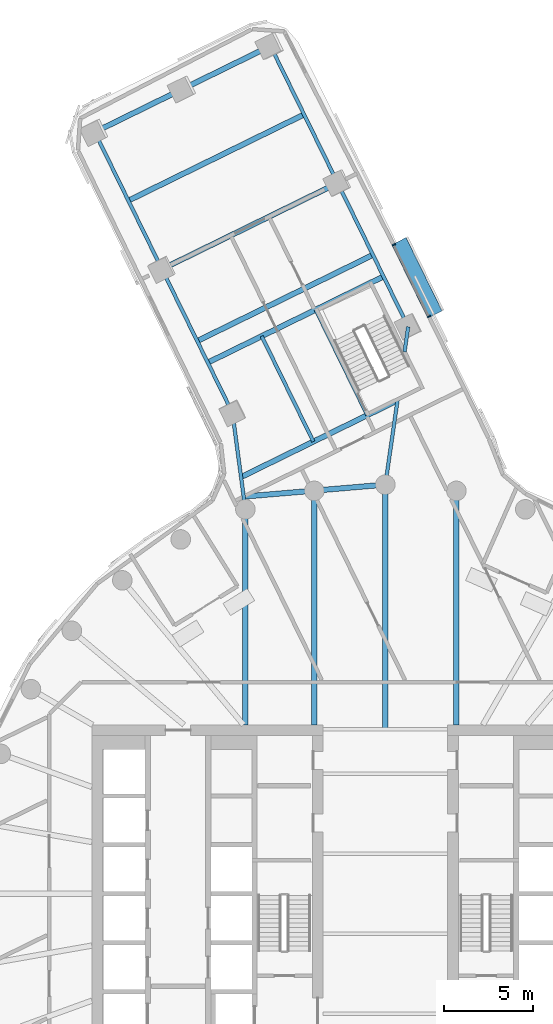
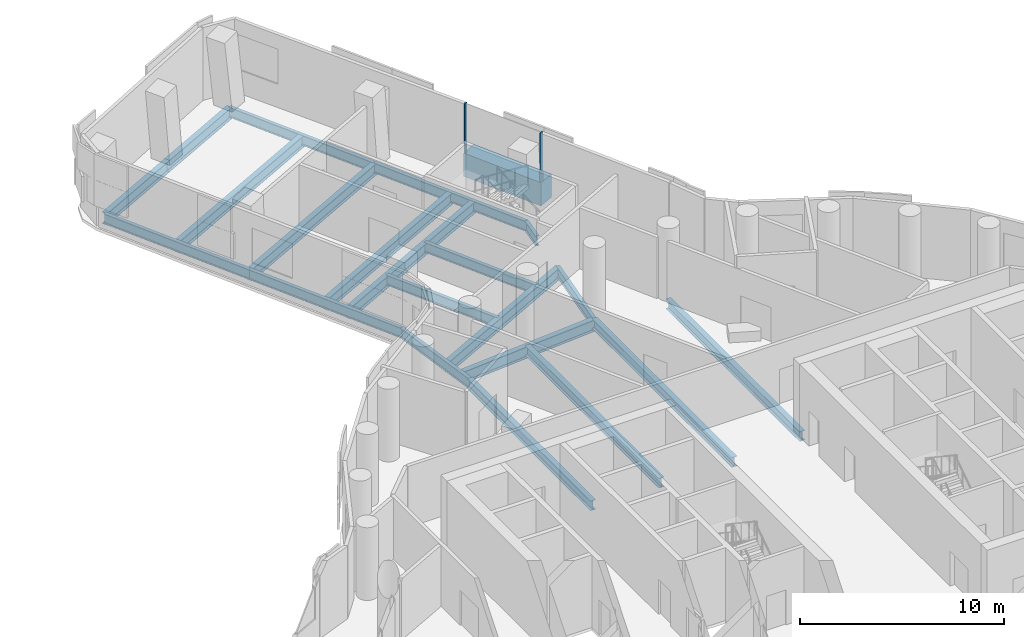
# One storey, part 8 of 23: 21 beams, 3 members, 1 element without a shape of its own.
"""IFC4 building model written with IfcOpenShell, lengths in metres."""

from ifc_helpers import new_model, si_unit, direction, frame, origin, origin_2d, place, context, subcontext, project, spatial, polyline, rectangle, i_section, outline, extrude, material, layer, layer_set, material_profile, profile_set, type_object, element, aggregate, save


model = new_model("IFC4")

# Units and contexts
model_context = context("Model", 3, precision=1e-05, world=origin(), true_north=direction((0.0, 1.0)))
body_context = subcontext(model_context, "Body", "Model", "MODEL_VIEW")
ifc_project = project(units=[si_unit("LENGTHUNIT", "METRE"), si_unit("AREAUNIT", "SQUARE_METRE"), si_unit("VOLUMEUNIT", "CUBIC_METRE"), si_unit("PLANEANGLEUNIT", "RADIAN"), si_unit("MASSUNIT", "GRAM", prefix="KILO")], contexts=[model_context])

# Site, building, storey
site_placement = place(None, origin())
site = spatial("IfcSite", under=ifc_project, at=site_placement, CompositionType="ELEMENT")
building_placement = place(site_placement, origin())
building = spatial("IfcBuilding", under=site, at=building_placement, Name="Tamarind Cross Interchange Tower", CompositionType="ELEMENT")
storey_placement = place(building_placement, frame((0.0, 0.0, 128.5)))
storey = spatial("IfcBuildingStorey", under=building, at=storey_placement, Name="L31", CompositionType="ELEMENT", Elevation=128.5)

# Beams
ifc_material_1 = material(Name="Steel Q355B", Category="steel")
ifc_material_profile_1 = material_profile(ifc_material_1, i_section(OverallWidth=0.300048828125, OverallDepth=0.58203125, WebThickness=0.011962890625, FlangeThickness=0.01708984375, FilletRadius=0.01806640625, at=origin_2d()), Name="HM 582x300x12x17")
ifc_profile_set_1 = profile_set([ifc_material_profile_1], Name="Steel Q355B")
beam_type_1 = type_object("IfcBeamType", Name="Composite beam HM 582x300x12x17 Q355B", PredefinedType="BEAM", material=ifc_profile_set_1)
beam_1_placement = place(storey_placement, frame((3.993896484375, 22.650634765625, -0.470947265625), z_axis=(0.0, -1.0, 0.0), x_axis=(1.0, 0.0, 0.0)))
element("IfcBeam", 1, at=beam_1_placement, inside=storey, type_object=beam_type_1, Name="Beam HH08", PredefinedType="BEAM", context=body_context, shape_type="SweptSolid", body=[
    extrude(i_section(OverallWidth=0.300048828125, OverallDepth=0.58203125, WebThickness=0.011962890625, FlangeThickness=0.01708984375, FilletRadius=0.01806640625, at=origin_2d()), origin(), (0.0, 0.0, 1.0), 13.150634765625),
])
beam_2_placement = place(storey_placement, frame((0.0, 23.0, -0.470947265625), z_axis=(0.0, -1.0, 0.0), x_axis=(1.0, 0.0, 0.0)))
element("IfcBeam", 2, at=beam_2_placement, inside=storey, type_object=beam_type_1, Name="Beam HH09", PredefinedType="BEAM", context=body_context, shape_type="SweptSolid", body=[
    extrude(i_section(OverallWidth=0.300048828125, OverallDepth=0.58203125, WebThickness=0.011962890625, FlangeThickness=0.01708984375, FilletRadius=0.01806640625, at=origin_2d()), origin(), (0.0, 0.0, 1.0), 13.75),
])
beam_3_placement = place(storey_placement, frame((-3.993896484375, 22.650634765625, -0.470947265625), z_axis=(0.0, -1.0, 0.0), x_axis=(1.0, 0.0, 0.0)))
element("IfcBeam", 3, at=beam_3_placement, inside=storey, type_object=beam_type_1, Name="Beam HH10", PredefinedType="BEAM", context=body_context, shape_type="SweptSolid", body=[
    extrude(i_section(OverallWidth=0.300048828125, OverallDepth=0.58203125, WebThickness=0.011962890625, FlangeThickness=0.01708984375, FilletRadius=0.01806640625, at=origin_2d()), origin(), (0.0, 0.0, 1.0), 13.150634765625),
])
beam_4_placement = place(storey_placement, frame((-7.866455078125, 21.613037109375, -0.470947265625), z_axis=(0.0, -1.0, 0.0), x_axis=(1.0, 0.0, 0.0)))
element("IfcBeam", 4, at=beam_4_placement, inside=storey, type_object=beam_type_1, Name="Beam HH11", PredefinedType="BEAM", context=body_context, shape_type="SweptSolid", body=[
    extrude(i_section(OverallWidth=0.300048828125, OverallDepth=0.58203125, WebThickness=0.011962890625, FlangeThickness=0.01708984375, FilletRadius=0.01806640625, at=origin_2d()), origin(), (0.0, 0.0, 1.0), 12.113037109375),
])
ifc_material_profile_2 = material_profile(ifc_material_1, i_section(OverallWidth=0.199951171875, OverallDepth=0.60009765625, WebThickness=0.010986328125, FlangeThickness=0.01708984375, FilletRadius=0.012939453125, at=origin_2d()), Name="HN 600x200x11x17")
ifc_profile_set_2 = profile_set([ifc_material_profile_2], Name="Steel Q355B")
beam_type_2 = type_object("IfcBeamType", Name="Composite beam HN 600x200x11x17 Q355B", PredefinedType="BEAM", material=ifc_profile_set_2)
beam_5_placement = place(storey_placement, frame((-6.45556640625, 47.658935546875, -0.47998046875), z_axis=(0.440246276802, -0.897877060494, 0.0), x_axis=(0.897877060494, 0.440246276802, 0.0)))
element("IfcBeam", 5, at=beam_5_placement, inside=storey, type_object=beam_type_2, Name="Beam N-edgeem5", PredefinedType="BEAM", context=body_context, shape_type="SweptSolid", body=[
    extrude(i_section(OverallWidth=0.199951171875, OverallDepth=0.60009765625, WebThickness=0.010986328125, FlangeThickness=0.01708984375, FilletRadius=0.012939453125, at=origin_2d()), origin(), (0.0, 0.0, 1.0), 8.58056640625),
])
beam_6_placement = place(storey_placement, frame((-2.677978515625, 39.95458984375, -0.47998046875), z_axis=(0.440244700893, -0.897877833191, 0.0), x_axis=(0.897877833191, 0.440244700893, 0.0)))
element("IfcBeam", 6, at=beam_6_placement, inside=storey, type_object=beam_type_2, Name="Beam N-edgeem6", PredefinedType="BEAM", context=body_context, shape_type="SweptSolid", body=[
    extrude(i_section(OverallWidth=0.199951171875, OverallDepth=0.60009765625, WebThickness=0.010986328125, FlangeThickness=0.01708984375, FilletRadius=0.012939453125, at=origin_2d()), origin(), (0.0, 0.0, 1.0), 9.0),
])
beam_7_placement = place(storey_placement, frame((-16.332275390625, 42.816162109375, -0.47998046875), z_axis=(0.440246276802, -0.897877060494, 0.0), x_axis=(0.897877060494, 0.440246276802, 0.0)))
element("IfcBeam", 7, at=beam_7_placement, inside=storey, type_object=beam_type_2, Name="Beam N-edgeep2", PredefinedType="BEAM", context=body_context, shape_type="SweptSolid", body=[
    extrude(i_section(OverallWidth=0.199951171875, OverallDepth=0.60009765625, WebThickness=0.010986328125, FlangeThickness=0.01708984375, FilletRadius=0.012939453125, at=origin_2d()), origin(), (0.0, 0.0, 1.0), 8.58056640625),
])
beam_8_placement = place(storey_placement, frame((-12.5546875, 35.11181640625, -0.47998046875), z_axis=(0.440266569902, -0.897867110115, 0.0), x_axis=(0.897867110115, 0.440266569902, 0.0)))
element("IfcBeam", 8, at=beam_8_placement, inside=storey, type_object=beam_type_2, Name="Beam N-edgeep3", PredefinedType="BEAM", context=body_context, shape_type="SweptSolid", body=[
    extrude(i_section(OverallWidth=0.199951171875, OverallDepth=0.60009765625, WebThickness=0.010986328125, FlangeThickness=0.01708984375, FilletRadius=0.012939453125, at=origin_2d()), origin(), (0.0, 0.0, 1.0), 9.0),
])
beam_9_placement = place(storey_placement, frame((1.2841796875, 31.873779296875, -0.47998046875), z_axis=(-0.143277515774, -0.989682551869, 0.0), x_axis=(0.989682551869, -0.143277515774, 0.0)))
element("IfcBeam", 9, at=beam_9_placement, inside=storey, type_object=beam_type_2, Name="Beam N-linkemt0", PredefinedType="BEAM", context=body_context, shape_type="SweptSolid", body=[
    extrude(i_section(OverallWidth=0.199951171875, OverallDepth=0.60009765625, WebThickness=0.010986328125, FlangeThickness=0.01708984375, FilletRadius=0.012939453125, at=origin_2d()), origin(), (0.0, 0.0, 1.0), 1.417724609375),
])
beam_10_placement = place(storey_placement, frame((0.6943359375, 27.7978515625, -0.47998046875), z_axis=(-0.143226051445, -0.989690001055, 0.0), x_axis=(0.989690001055, -0.143226051445, 0.0)))
element("IfcBeam", 10, at=beam_10_placement, inside=storey, type_object=beam_type_2, Name="Beam N-linkemt1", PredefinedType="BEAM", context=body_context, shape_type="SweptSolid", body=[
    extrude(i_section(OverallWidth=0.199951171875, OverallDepth=0.60009765625, WebThickness=0.010986328125, FlangeThickness=0.01708984375, FilletRadius=0.012939453125, at=origin_2d()), origin(), (0.0, 0.0, 1.0), 4.847900390625),
])
beam_11_placement = place(storey_placement, frame((-8.59228515625, 27.031005859375, -0.47998046875), z_axis=(0.132780970135, -0.991145405059, 0.0), x_axis=(0.991145405059, 0.132780970135, 0.0)))
element("IfcBeam", 11, at=beam_11_placement, inside=storey, type_object=beam_type_2, Name="Beam N-linkep", PredefinedType="BEAM", context=body_context, shape_type="SweptSolid", body=[
    extrude(i_section(OverallWidth=0.199951171875, OverallDepth=0.60009765625, WebThickness=0.010986328125, FlangeThickness=0.01708984375, FilletRadius=0.012939453125, at=origin_2d()), origin(), (0.0, 0.0, 1.0), 5.46630859375),
])
for number, where, z_axis, x_axis, name in (
    (12, (-1.012939453125, 26.905029296875, -0.47998046875), (-0.44023089958, 0.897884600077, 0.0), (-0.897884600077, -0.44023089958, 0.0), "Beam N-tr1"),
    (13, (-4.043212890625, 25.419189453125, -0.47998046875), (-0.440260720944, 0.897869978111, 0.0), (-0.897869978111, -0.440260720944, 0.0), "Beam N-stripp"),
):
    element("IfcBeam", number, at=place(storey_placement, frame(where, z_axis=z_axis, x_axis=x_axis)), inside=storey, type_object=beam_type_2, Name=name, PredefinedType="BEAM", context=body_context, shape_type="SweptSolid", body=[
        extrude(i_section(OverallWidth=0.199951171875, OverallDepth=0.60009765625, WebThickness=0.010986328125, FlangeThickness=0.01708984375, FilletRadius=0.012939453125, at=origin_2d()), origin(), (0.0, 0.0, 1.0), 6.60009765625),
    ])
ifc_material_profile_3 = material_profile(ifc_material_1, i_section(OverallWidth=0.300048828125, OverallDepth=0.699951171875, WebThickness=0.012939453125, FlangeThickness=0.02392578125, FilletRadius=0.01806640625, at=origin_2d()), Name="HN 700x300x13x24")
ifc_profile_set_3 = profile_set([ifc_material_profile_3], Name="Steel Q355B")
beam_type_3 = type_object("IfcBeamType", Name="Composite beam HN 700x300x13x24 Q355B", PredefinedType="BEAM", material=ifc_profile_set_3)
beam_12_placement = place(storey_placement, frame((-6.45556640625, 47.658935546875, -0.530029296875), z_axis=(-0.897880128534, -0.440240019517, 0.0), x_axis=(0.440240019517, -0.897880128534, 0.0)))
element("IfcBeam", 14, at=beam_12_placement, inside=storey, type_object=beam_type_3, Name="Beam N-tip0", PredefinedType="BEAM", context=body_context, shape_type="SweptSolid", body=[
    extrude(i_section(OverallWidth=0.300048828125, OverallDepth=0.699951171875, WebThickness=0.012939453125, FlangeThickness=0.02392578125, FilletRadius=0.01806640625, at=origin_2d()), origin(), (0.0, 0.0, 1.0), 5.500244140625),
])
beam_13_placement = place(storey_placement, frame((-11.39404296875, 45.237548828125, -0.530029296875), z_axis=(-0.897871525128, -0.440257565937, 0.0), x_axis=(0.440257565937, -0.897871525128, 0.0)))
element("IfcBeam", 15, at=beam_13_placement, inside=storey, type_object=beam_type_3, Name="Beam N-tip1", PredefinedType="BEAM", context=body_context, shape_type="SweptSolid", body=[
    extrude(i_section(OverallWidth=0.300048828125, OverallDepth=0.699951171875, WebThickness=0.012939453125, FlangeThickness=0.02392578125, FilletRadius=0.01806640625, at=origin_2d()), origin(), (0.0, 0.0, 1.0), 5.5),
])
beam_14_placement = place(storey_placement, frame((0.685546875, 27.73779296875, -0.530029296875), z_axis=(-0.897879577183, -0.440241144009, 0.0), x_axis=(0.440241144009, -0.897879577183, 0.0)))
element("IfcBeam", 16, at=beam_14_placement, inside=storey, type_object=beam_type_3, Name="Beam N-x268", PredefinedType="BEAM", context=body_context, shape_type="SweptSolid", body=[
    extrude(i_section(OverallWidth=0.300048828125, OverallDepth=0.699951171875, WebThickness=0.012939453125, FlangeThickness=0.02392578125, FilletRadius=0.01806640625, at=origin_2d()), origin(), (0.0, 0.0, 1.0), 9.795166015625),
])
for number, where, z_axis, x_axis, name in (
    (17, (-0.1025390625, 34.7021484375, -0.530029296875), (-0.897875826959, -0.440248792574, 0.0), (0.440248792574, -0.897875826959, 0.0), "Beam N-x334"),
    (18, (-2.677978515625, 39.95458984375, -0.530029296875), (-0.897875826959, -0.440248792574, 0.0), (0.440248792574, -0.897875826959, 0.0), "Beam N-x393"),
):
    element("IfcBeam", number, at=place(storey_placement, frame(where, z_axis=z_axis, x_axis=x_axis)), inside=storey, type_object=beam_type_3, Name=name, PredefinedType="BEAM", context=body_context, shape_type="SweptSolid", body=[
        extrude(i_section(OverallWidth=0.300048828125, OverallDepth=0.699951171875, WebThickness=0.012939453125, FlangeThickness=0.02392578125, FilletRadius=0.01806640625, at=origin_2d()), origin(), (0.0, 0.0, 1.0), 11.0),
    ])
beam_15_placement = place(storey_placement, frame((0.0, 23.0, -0.530029296875), z_axis=(-0.996458827484, -0.084082133232, 0.0), x_axis=(0.084082133232, -0.996458827484, 0.0)))
element("IfcBeam", 19, at=beam_15_placement, inside=storey, type_object=beam_type_3, Name="Beam N-x258", PredefinedType="BEAM", context=body_context, shape_type="SweptSolid", body=[
    extrude(i_section(OverallWidth=0.300048828125, OverallDepth=0.699951171875, WebThickness=0.012939453125, FlangeThickness=0.02392578125, FilletRadius=0.01806640625, at=origin_2d()), origin(), (0.0, 0.0, 1.0), 7.99072265625),
])
for number, where, z_axis, x_axis, name in (
    (20, (-0.697021484375, 35.9140625, -0.530029296875), (-0.897871525128, -0.440257565937, 0.0), (0.440257565937, -0.897871525128, 0.0), "Beam N-x348"),
    (21, (-4.56689453125, 43.806640625, -0.530029296875), (-0.897871525128, -0.440257565937, 0.0), (0.440257565937, -0.897871525128, 0.0), "Beam N-x436"),
):
    element("IfcBeam", number, at=place(storey_placement, frame(where, z_axis=z_axis, x_axis=x_axis)), inside=storey, type_object=beam_type_3, Name=name, PredefinedType="BEAM", context=body_context, shape_type="SweptSolid", body=[
        extrude(i_section(OverallWidth=0.300048828125, OverallDepth=0.699951171875, WebThickness=0.012939453125, FlangeThickness=0.02392578125, FilletRadius=0.01806640625, at=origin_2d()), origin(), (0.0, 0.0, 1.0), 10.999755859375),
    ])

# Curtain wall, members
ifc_material_2 = material(Name="Aluminium 6063-T6", Category="aluminium")
ifc_layer = layer(ifc_material_2, 0.179931640625)
ifc_layer_set = layer_set([ifc_layer], Name="Aluminium 6063-T6")
curtain_wall_type = type_object("IfcCurtainWallType", Name="Sky lobby curtain wall, fire-resisting glazing", PredefinedType="NOTDEFINED", material=ifc_layer_set)
curtain_wall_placement = place(storey_placement, origin())
curtain_wall = element("IfcCurtainWall", 22, at=curtain_wall_placement, inside=storey, type_object=curtain_wall_type, Name="CWS-L31-11", PredefinedType="NOTDEFINED")
ifc_material_3 = material(Name="Aluminium and insulated spandrel panel", Category="aluminium")
member_type_1 = type_object("IfcMemberType", Name="Floor-edge blade transom", PredefinedType="USERDEFINED", material=ifc_material_3)
member_1_placement = place(storey_placement, origin())
member_1 = element("IfcMember", 23, at=member_1_placement, type_object=member_type_1, Name="CWT-L31-11-0", ObjectType="TRANSOM", PredefinedType="USERDEFINED", context=body_context, shape_type="SweptSolid", body=[
    extrude(outline(polyline([(2.378662109375, 32.367431640625), (0.366943359375, 36.469970703125), (1.16259765625, 36.8916015625), (3.188720703125, 32.759765625), (2.378662109375, 32.367431640625)])), origin(), (0.0, 0.0, 1.0), 1.39990234375),
])
ifc_material_profile_4 = material_profile(ifc_material_2, rectangle(XDim=0.080078125, YDim=0.179931640625, at=origin_2d()), Name="Mullion CW4")
ifc_profile_set_4 = profile_set([ifc_material_profile_4], Name="Aluminium 6063-T6")
member_type_2 = type_object("IfcMemberType", Name="Mullion CW4", PredefinedType="MULLION", material=ifc_profile_set_4)
member_2_placement = place(storey_placement, frame((2.451171875, 32.44677734375, 1.39990234375), z_axis=(0.0, 0.0, 1.0), x_axis=(-0.440252613806, 0.897873953312, 0.0)))
member_2 = element("IfcMember", 24, at=member_2_placement, type_object=member_type_2, Name="CWM-L31-11-02", PredefinedType="MULLION", context=body_context, shape_type="SweptSolid", body=[
    extrude(rectangle(XDim=0.080078125, YDim=0.179931640625, at=origin_2d()), origin(), (0.0, 0.0, 1.0), 2.960205078125),
])
member_3_placement = place(storey_placement, frame((0.47314453125, 36.48095703125, 1.39990234375), z_axis=(0.0, 0.0, 1.0), x_axis=(-0.440252613806, 0.897873953312, 0.0)))
member_3 = element("IfcMember", 25, at=member_3_placement, type_object=member_type_2, Name="CWM-L31-11-03", PredefinedType="MULLION", context=body_context, shape_type="SweptSolid", body=[
    extrude(rectangle(XDim=0.080078125, YDim=0.179931640625, at=origin_2d()), origin(), (0.0, 0.0, 1.0), 2.960205078125),
])
aggregate(curtain_wall, [member_2, member_3, member_1])

save(model, "model.ifc")
